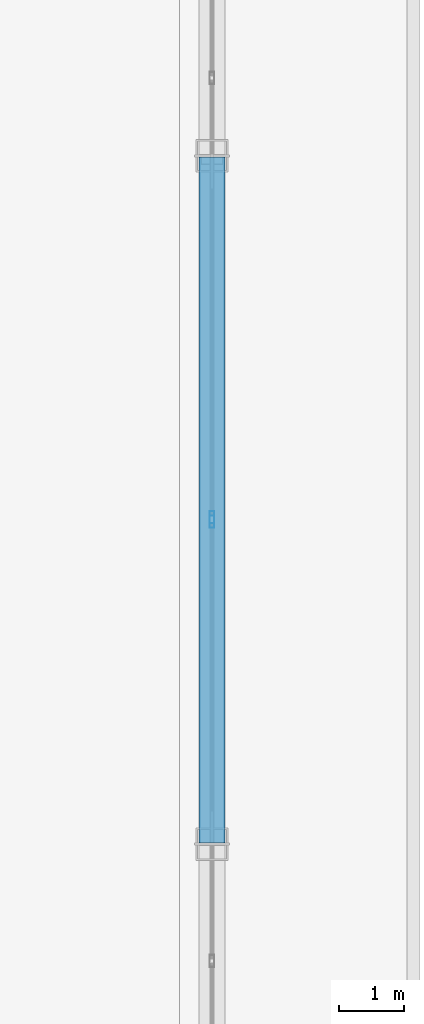
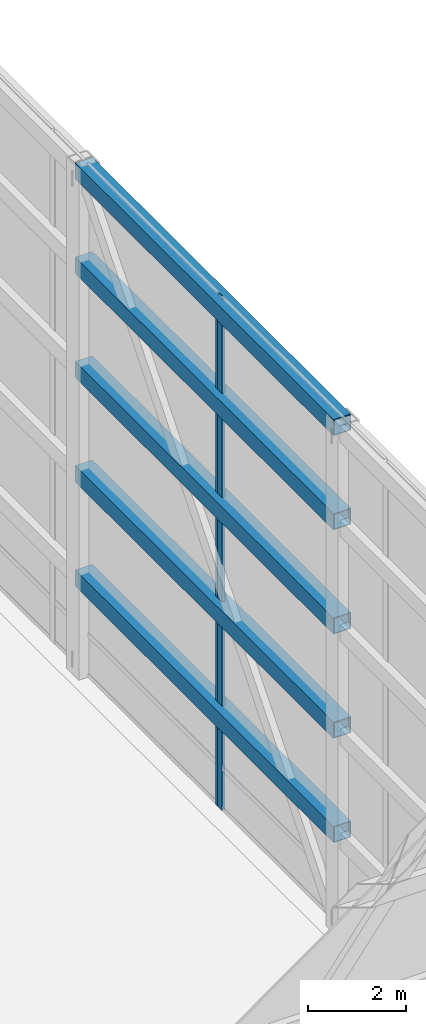
# One storey, part 16 of 23: 5 beams, 2 members, 2 elements without a shape of their own.
"""IFC4 building model written with IfcOpenShell, lengths in metres."""

from ifc_helpers import new_model, si_unit, direction, frame, origin, origin_2d, place, context, subcontext, project, spatial, hollow_rectangle, extrude, source, transform, mapped, material, layer, layer_set, material_profile, profile_set, type_object, type_shapes, element, aggregate, save


model = new_model("IFC4")

# Units and contexts
model_context = context("Model", 3, precision=1e-05, world=origin(), true_north=direction((0.0, 1.0)))
body_context = subcontext(model_context, "Body", "Model", "MODEL_VIEW")
ifc_project = project(units=[si_unit("LENGTHUNIT", "METRE"), si_unit("AREAUNIT", "SQUARE_METRE"), si_unit("VOLUMEUNIT", "CUBIC_METRE"), si_unit("PLANEANGLEUNIT", "RADIAN"), si_unit("MASSUNIT", "GRAM", prefix="KILO")], contexts=[model_context])

# Site, building, storey
site_placement = place(None, origin())
site = spatial("IfcSite", under=ifc_project, at=site_placement, CompositionType="ELEMENT")
building_placement = place(site_placement, origin())
building = spatial("IfcBuilding", under=site, at=building_placement, Name="Varnel Quay Broadcast Tower", CompositionType="ELEMENT")
storey_placement = place(building_placement, frame((0.0, 0.0, 319.800048828125)))
storey = spatial("IfcBuildingStorey", under=building, at=storey_placement, Name="Roof", CompositionType="ELEMENT", Elevation=319.800048828125)

# Beams
ifc_material_1 = material(Name="Structural Steel CSA G40.21 350WT", Category="steel")
ifc_material_profile_1 = material_profile(ifc_material_1, hollow_rectangle(XDim=0.406005859375, YDim=0.406005859375, WallThickness=0.01611328125, at=origin_2d()), Name="HSS406X406X16")
ifc_profile_set_1 = profile_set([ifc_material_profile_1], Name="Structural Steel CSA G40.21 350WT")
beam_type = type_object("IfcBeamType", Name="CrownRingBeam_HSS406", PredefinedType="BEAM", material=ifc_profile_set_1)
shared_shape_1 = source(origin(), body_context, "Body", "SweptSolid", [
    extrude(hollow_rectangle(XDim=0.406005859375, YDim=0.406005859375, WallThickness=0.01611328125, at=origin_2d()), origin(), (0.0, 0.0, 1.0), 10.56005859375),
])
type_shapes(beam_type, [shared_shape_1])
for number, where, z_axis, x_axis, name in (
    (1, (52.800048828125, 25.02001953125, 2.39697265625), (0.0, 1.0, 0.0), (-1.0, 0.0, 0.0), "CROWN FRAME Ring Tier 1 Beam 6"),
    (2, (52.800048828125, 25.02001953125, 4.9970703125), (0.0, 1.0, 0.0), (-1.0, 0.0, 0.0), "CROWN FRAME Ring Tier 2 Beam 6"),
    (3, (52.800048828125, 25.02001953125, 7.596923828125), (0.0, 1.0, 0.0), (-1.0, 0.0, 0.0), "CROWN FRAME Ring Tier 3 Beam 6"),
    (4, (52.800048828125, 25.02001953125, 10.197021484375), (0.0, 1.0, 0.0), (-1.0, 0.0, 0.0), "CROWN FRAME Ring Tier 4 Beam 6"),
    (5, (52.800048828125, 25.02001953125, 12.546875), (0.0, 1.0, 0.0), (-1.0, 0.0, 0.0), "CROWN FRAME Ring Tier 5 Beam 6"),
):
    element("IfcBeam", number, at=place(storey_placement, frame(where, z_axis=z_axis, x_axis=x_axis)), inside=storey, type_object=beam_type, Name=name, PredefinedType="BEAM", context=body_context, shape_type="MappedRepresentation", body=[
        mapped(shared_shape_1, transform((0.0, 0.0, 0.0), x_axis=(1.0, 0.0, 0.0), y_axis=(0.0, 1.0, 0.0), z_axis=(0.0, 0.0, 1.0), scale=1.0)),
    ])

# Curtain wall, member
ifc_material_2 = material(Name="Anodised Bronze Aluminium 6063-T6", Category="aluminium")
ifc_layer = layer(ifc_material_2, 0.18994140625, Name="Anodised Bronze Aluminium 6063-T6")
ifc_layer_set = layer_set([ifc_layer], Name="Anodised Bronze Aluminium 6063-T6")
curtain_wall_type = type_object("IfcCurtainWallType", Name="CW_CrownScreen", PredefinedType="NOTDEFINED", material=ifc_layer_set)
curtain_wall_1_placement = place(storey_placement, origin())
curtain_wall_1 = element("IfcCurtainWall", 6, at=curtain_wall_1_placement, inside=storey, type_object=curtain_wall_type, Name="Ring Crown Bronze Glazed Louvre Screen E1", PredefinedType="NOTDEFINED")
ifc_material_profile_2 = material_profile(ifc_material_2, hollow_rectangle(XDim=0.070068359375, YDim=0.18994140625, WallThickness=0.00390625, at=origin_2d()), Name="ALU70X190X4")
ifc_profile_set_2 = profile_set([ifc_material_profile_2], Name="Anodised Bronze Aluminium 6063-T6")
member_type = type_object("IfcMemberType", Name="Mull_CWS-06", PredefinedType="MULLION", material=ifc_profile_set_2)
shared_shape_2 = source(origin(), body_context, "Body", "SweptSolid", [
    extrude(hollow_rectangle(XDim=0.070068359375, YDim=0.18994140625, WallThickness=0.00390625, at=origin_2d()), origin(), (0.0, 0.0, 1.0), 12.75),
])
type_shapes(member_type, [shared_shape_2])
member_1_placement = place(storey_placement, frame((52.800048828125, 29.965087890625, 0.0), z_axis=(0.0, 0.0, 1.0), x_axis=(-1.0, 0.0, 0.0)))
member_1 = element("IfcMember", 7, at=member_1_placement, type_object=member_type, Name="CWS-06 mullion 3", PredefinedType="MULLION", context=body_context, shape_type="MappedRepresentation", body=[
    mapped(shared_shape_2, transform((0.0, 0.0, 0.0), x_axis=(1.0, 0.0, 0.0), y_axis=(0.0, 1.0, 0.0), z_axis=(0.0, 0.0, 1.0), scale=1.0)),
])
aggregate(curtain_wall_1, [member_1])

curtain_wall_2_placement = place(storey_placement, origin())
curtain_wall_2 = element("IfcCurtainWall", 8, at=curtain_wall_2_placement, inside=storey, type_object=curtain_wall_type, Name="Ring Crown Bronze Glazed Louvre Screen E2", PredefinedType="NOTDEFINED")
member_2_placement = place(storey_placement, frame((52.800048828125, 30.034912109375, 0.0), z_axis=(0.0, 0.0, 1.0), x_axis=(-1.0, 0.0, 0.0)))
member_2 = element("IfcMember", 9, at=member_2_placement, type_object=member_type, Name="CWS-06 mullion 1", PredefinedType="MULLION", context=body_context, shape_type="MappedRepresentation", body=[
    mapped(shared_shape_2, transform((0.0, 0.0, 0.0), x_axis=(1.0, 0.0, 0.0), y_axis=(0.0, 1.0, 0.0), z_axis=(0.0, 0.0, 1.0), scale=1.0)),
])
aggregate(curtain_wall_2, [member_2])

save(model, "model.ifc")
